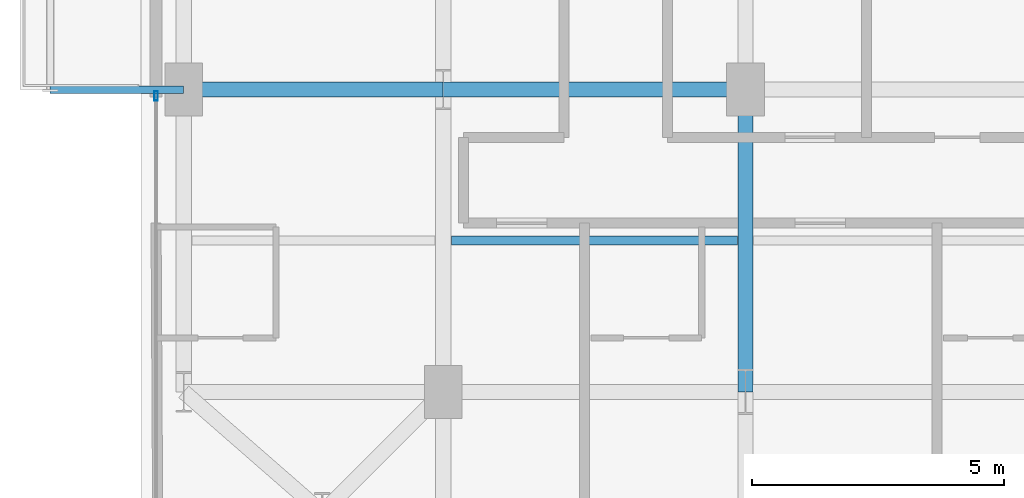
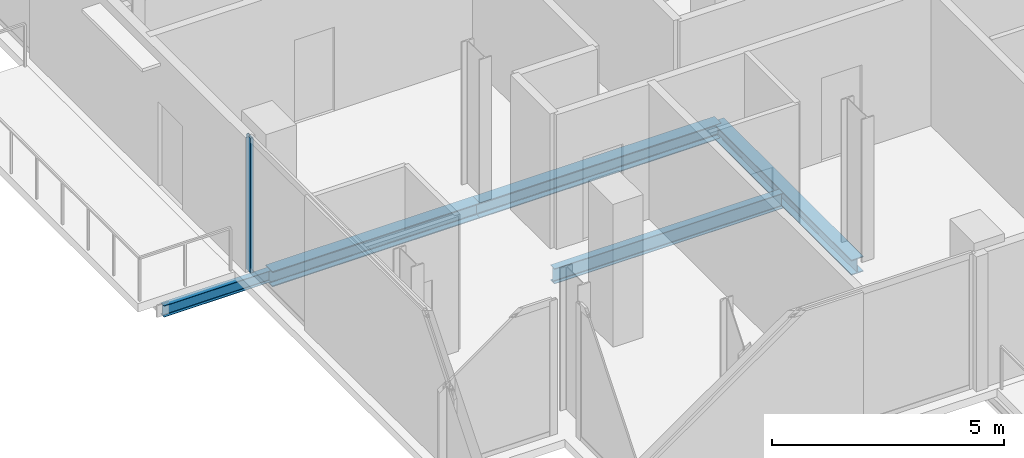
# One storey, part 3 of 22: 5 beams, 1 member, 1 element without a shape of its own.
"""IFC4 building model written with IfcOpenShell, lengths in metres."""

from ifc_helpers import new_model, si_unit, direction, frame, origin, origin_2d, place, context, subcontext, project, spatial, hollow_rectangle, i_section, extrude, material, layer, layer_set, material_profile, profile_set, type_object, element, aggregate, save


model = new_model("IFC4")

# Units and contexts
model_context = context("Model", 3, precision=1e-05, world=origin(), true_north=direction((0.0, 1.0)))
body_context = subcontext(model_context, "Body", "Model", "MODEL_VIEW")
ifc_project = project(units=[si_unit("LENGTHUNIT", "METRE"), si_unit("AREAUNIT", "SQUARE_METRE"), si_unit("VOLUMEUNIT", "CUBIC_METRE"), si_unit("PLANEANGLEUNIT", "RADIAN"), si_unit("MASSUNIT", "GRAM", prefix="KILO"), si_unit("THERMODYNAMICTEMPERATUREUNIT", "KELVIN"), si_unit("POWERUNIT", "WATT")], contexts=[model_context])

# Site, building, storey
site_placement = place(None, origin())
site = spatial("IfcSite", under=ifc_project, at=site_placement, CompositionType="ELEMENT")
building_placement = place(site_placement, origin())
building = spatial("IfcBuilding", under=site, at=building_placement, Name="Svarakhadi Broadcast Tower", CompositionType="ELEMENT")
storey_placement = place(building_placement, frame((0.0, 0.0, 176.699951171875)))
storey = spatial("IfcBuildingStorey", under=building, at=storey_placement, Name="L43", CompositionType="ELEMENT", Elevation=176.699951171875)

# Beam
ifc_material_1 = material(Name="Steel S355J2 (IS 2062 E350C)", Category="steel")
ifc_material_profile_1 = material_profile(ifc_material_1, i_section(OverallWidth=0.179931640625, OverallDepth=0.39990234375, WebThickness=0.008544921875, FlangeThickness=0.013427734375, FilletRadius=0.02099609375, at=origin_2d()), Name="NPB 400x180x66")
ifc_profile_set_1 = profile_set([ifc_material_profile_1], Name="Steel S355J2 (IS 2062 E350C)")
beam_type_1 = type_object("IfcBeamType", Name="Beam_NPB400", PredefinedType="BEAM", material=ifc_profile_set_1)
beam_1_placement = place(storey_placement, frame((6.159912109375, 9.0, -0.409912109375), z_axis=(1.0, 0.0, 0.0), x_axis=(0.0, 1.0, 0.0)))
element("IfcBeam", 1, at=beam_1_placement, inside=storey, type_object=beam_type_1, Name="L43 Secondary Composite Beam SB006", PredefinedType="BEAM", context=body_context, shape_type="SweptSolid", body=[
    extrude(i_section(OverallWidth=0.179931640625, OverallDepth=0.39990234375, WebThickness=0.008544921875, FlangeThickness=0.013427734375, FilletRadius=0.02099609375, at=origin_2d()), origin(), (0.0, 0.0, 1.0), 5.68017578125),
])

# Curtain wall, member
ifc_material_2 = material(Name="Anodised Bronze Aluminium AA 6063-T6", Category="aluminium")
ifc_layer = layer(ifc_material_2, 0.18994140625)
ifc_layer_set = layer_set([ifc_layer], Name="Anodised Bronze Aluminium AA 6063-T6")
curtain_wall_type = type_object("IfcCurtainWallType", Name="CW_Sys_04", PredefinedType="NOTDEFINED", material=ifc_layer_set)
curtain_wall_placement = place(storey_placement, origin())
curtain_wall = element("IfcCurtainWall", 2, at=curtain_wall_placement, inside=storey, type_object=curtain_wall_type, Name="L43 West Curtain Wall 02", PredefinedType="NOTDEFINED")
ifc_material_profile_2 = material_profile(ifc_material_2, hollow_rectangle(XDim=0.070068359375, YDim=0.18994140625, WallThickness=0.005615234375, at=origin_2d()), Name="ALU MULLION 190x70x6")
ifc_profile_set_2 = profile_set([ifc_material_profile_2], Name="Anodised Bronze Aluminium AA 6063-T6")
member_type = type_object("IfcMemberType", Name="CW_Sys_04_Mul", PredefinedType="MULLION", material=ifc_profile_set_2)
member_placement = place(storey_placement, frame((0.300048828125, 11.875, 0.0), z_axis=(0.0, 0.0, 1.0), x_axis=(-1.0, 0.0, 0.0)))
member = element("IfcMember", 3, at=member_placement, type_object=member_type, Name="CW-04 mullion 2", PredefinedType="MULLION", context=body_context, shape_type="SweptSolid", body=[
    extrude(hollow_rectangle(XDim=0.070068359375, YDim=0.18994140625, WallThickness=0.005615234375, at=origin_2d()), origin(), (0.0, 0.0, 1.0), 3.5400390625),
])
aggregate(curtain_wall, [member])

# Beams
ifc_material_profile_3 = material_profile(ifc_material_1, i_section(OverallWidth=0.300048828125, OverallDepth=0.39990234375, WebThickness=0.013427734375, FlangeThickness=0.02392578125, FilletRadius=0.027099609375, at=origin_2d()), Name="WPB 400x300x155")
ifc_profile_set_3 = profile_set([ifc_material_profile_3], Name="Steel S355J2 (IS 2062 E350C)")
beam_type_2 = type_object("IfcBeamType", Name="Girder_WPB400", PredefinedType="USERDEFINED", material=ifc_profile_set_3)
beam_2_placement = place(storey_placement, frame((0.85009765625, 12.0, -0.409912109375), z_axis=(1.0, 0.0, 0.0), x_axis=(0.0, 1.0, 0.0)))
element("IfcBeam", 4, at=beam_2_placement, inside=storey, type_object=beam_type_2, Name="L43 Primary E-W Girder G015", ObjectType="GIRDER", PredefinedType="USERDEFINED", context=body_context, shape_type="SweptSolid", body=[
    extrude(i_section(OverallWidth=0.300048828125, OverallDepth=0.39990234375, WebThickness=0.013427734375, FlangeThickness=0.02392578125, FilletRadius=0.027099609375, at=origin_2d()), origin(), (0.0, 0.0, 1.0), 5.14990234375),
])
for number, where, z_axis, x_axis, name in (
    (5, (6.0, 12.0, -0.409912109375), (1.0, 0.0, 0.0), (0.0, 1.0, 0.0), "L43 Primary E-W Girder G016"),
    (6, (12.0, 6.0, -0.409912109375), (0.0, 1.0, 0.0), (-1.0, 0.0, 0.0), "L43 Primary N-S Girder G043"),
):
    element("IfcBeam", number, at=place(storey_placement, frame(where, z_axis=z_axis, x_axis=x_axis)), inside=storey, type_object=beam_type_2, Name=name, ObjectType="GIRDER", PredefinedType="USERDEFINED", context=body_context, shape_type="SweptSolid", body=[
        extrude(i_section(OverallWidth=0.300048828125, OverallDepth=0.39990234375, WebThickness=0.013427734375, FlangeThickness=0.02392578125, FilletRadius=0.027099609375, at=origin_2d()), origin(), (0.0, 0.0, 1.0), 6.0),
    ])
ifc_material_profile_4 = material_profile(ifc_material_1, i_section(OverallWidth=0.14990234375, OverallDepth=0.300048828125, WebThickness=0.007080078125, FlangeThickness=0.0107421875, FilletRadius=0.014892578125, at=origin_2d()), Name="NPB 300x150x37")
ifc_profile_set_4 = profile_set([ifc_material_profile_4], Name="Steel S355J2 (IS 2062 E350C)")
beam_type_3 = type_object("IfcBeamType", Name="Spandrel_NPB300", PredefinedType="SPANDREL", material=ifc_profile_set_4)
beam_3_placement = place(storey_placement, frame((0.85009765625, 12.0, -0.375), z_axis=(-1.0, 0.0, 0.0), x_axis=(0.0, -1.0, 0.0)))
element("IfcBeam", 7, at=beam_3_placement, inside=storey, type_object=beam_type_3, Name="L43 Balcony Cantilever Bracket 2A", PredefinedType="SPANDREL", context=body_context, shape_type="SweptSolid", body=[
    extrude(i_section(OverallWidth=0.14990234375, OverallDepth=0.300048828125, WebThickness=0.007080078125, FlangeThickness=0.0107421875, FilletRadius=0.014892578125, at=origin_2d()), origin(), (0.0, 0.0, 1.0), 2.650146484375),
])

save(model, "model.ifc")
